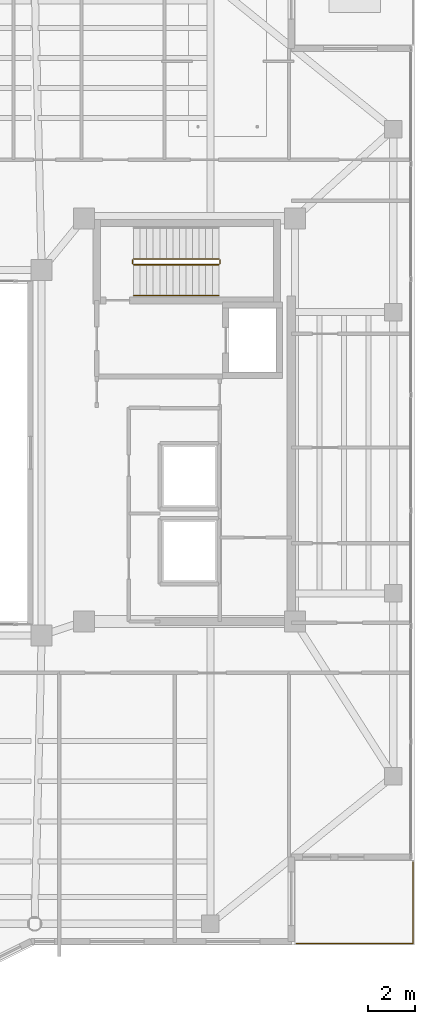
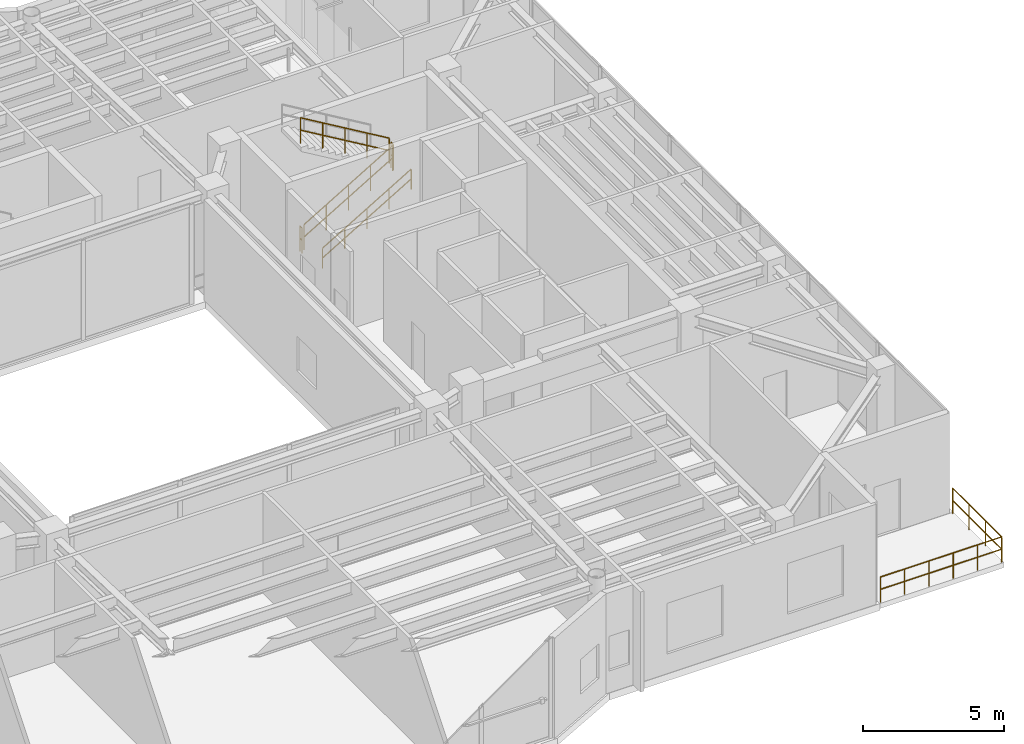
# One storey, part 32 of 34: 7 railings.
"""IFC4 building model written with IfcOpenShell, lengths in metres."""

from ifc_helpers import new_model, si_unit, direction, frame, origin, origin_2d, place, context, subcontext, project, spatial, circle, extrude, material, type_object, element, save


model = new_model("IFC4")

# Units and contexts
model_context = context("Model", 3, precision=1e-05, world=origin(), true_north=direction((0.0, 1.0)))
body_context = subcontext(model_context, "Body", "Model", "MODEL_VIEW")
ifc_project = project(units=[si_unit("LENGTHUNIT", "METRE"), si_unit("AREAUNIT", "SQUARE_METRE"), si_unit("VOLUMEUNIT", "CUBIC_METRE"), si_unit("PLANEANGLEUNIT", "RADIAN"), si_unit("MASSUNIT", "GRAM", prefix="KILO")], contexts=[model_context])

# Site, building, storey
site_placement = place(None, origin())
site = spatial("IfcSite", under=ifc_project, at=site_placement, CompositionType="ELEMENT")
building_placement = place(site_placement, origin())
building = spatial("IfcBuilding", under=site, at=building_placement, Name="Tarnavaz Court Tower", CompositionType="ELEMENT")
storey_placement = place(building_placement, frame((0.0, 0.0, 231.75)))
storey = spatial("IfcBuildingStorey", under=building, at=storey_placement, Name="L63", CompositionType="ELEMENT", Elevation=231.75)

# Railings
ifc_material_1 = material(Name="Anodised Aluminium 6063-T6 and Laminated Safety Glass", Category="aluminium")
railing_type_1 = type_object("IfcRailingType", Name="RL-BAL-1120", PredefinedType="BALUSTRADE", material=ifc_material_1)
railing_1_placement = place(storey_placement, frame((18.659912109375, -20.93994140625, 0.0)))
element("IfcRailing", 1, at=railing_1_placement, inside=storey, type_object=railing_type_1, Name="L63 Terrace 3 S Perimeter Balustrade", PredefinedType="BALUSTRADE", context=body_context, shape_type="SweptSolid", body=[
    extrude(circle(Radius=0.02392578125, at=origin_2d()), frame((0.0, 0.0, 1.09619140625), z_axis=(1.0, 0.0, 0.0), x_axis=(0.0, 1.0, 0.0)), (0.0, 0.0, 1.0), 4.97998046875),
    extrude(circle(Radius=0.02392578125, at=origin_2d()), frame((0.0, 0.0, 0.56005859375), z_axis=(1.0, 0.0, 0.0), x_axis=(0.0, 1.0, 0.0)), (0.0, 0.0, 1.0), 4.97998046875),
    extrude(circle(Radius=0.02099609375, at=origin_2d()), origin(), (0.0, 0.0, 1.0), 1.072021484375),
    extrude(circle(Radius=0.02099609375, at=origin_2d()), frame((0.99609375, 0.0, 0.0)), (0.0, 0.0, 1.0), 1.072021484375),
    extrude(circle(Radius=0.02099609375, at=origin_2d()), frame((1.991943359375, 0.0, 0.0)), (0.0, 0.0, 1.0), 1.072021484375),
    extrude(circle(Radius=0.02099609375, at=origin_2d()), frame((2.988037109375, 0.0, 0.0)), (0.0, 0.0, 1.0), 1.072021484375),
    extrude(circle(Radius=0.02099609375, at=origin_2d()), frame((3.98388671875, 0.0, 0.0)), (0.0, 0.0, 1.0), 1.072021484375),
    extrude(circle(Radius=0.02099609375, at=origin_2d()), frame((4.97998046875, 0.0, 0.0)), (0.0, 0.0, 1.0), 1.072021484375),
])
railing_2_placement = place(storey_placement, frame((23.639892578125, -20.93994140625, 0.0)))
element("IfcRailing", 2, at=railing_2_placement, inside=storey, type_object=railing_type_1, Name="L63 Terrace 3 E Perimeter Balustrade", PredefinedType="BALUSTRADE", context=body_context, shape_type="SweptSolid", body=[
    extrude(circle(Radius=0.02392578125, at=origin_2d()), frame((0.0, 0.0, 1.09619140625), z_axis=(0.0, 1.0, 0.0), x_axis=(-1.0, 0.0, 0.0)), (0.0, 0.0, 1.0), 3.47998046875),
    extrude(circle(Radius=0.02392578125, at=origin_2d()), frame((0.0, 0.0, 0.56005859375), z_axis=(0.0, 1.0, 0.0), x_axis=(-1.0, 0.0, 0.0)), (0.0, 0.0, 1.0), 3.47998046875),
    extrude(circle(Radius=0.02099609375, at=origin_2d()), origin(), (0.0, 0.0, 1.0), 1.072021484375),
    extrude(circle(Radius=0.02099609375, at=origin_2d()), frame((0.0, 1.159912109375, 0.0)), (0.0, 0.0, 1.0), 1.072021484375),
    extrude(circle(Radius=0.02099609375, at=origin_2d()), frame((0.0, 2.320068359375, 0.0)), (0.0, 0.0, 1.0), 1.072021484375),
    extrude(circle(Radius=0.02099609375, at=origin_2d()), frame((0.0, 3.47998046875, 0.0)), (0.0, 0.0, 1.0), 1.072021484375),
])
ifc_material_2 = material(Name="Brushed Stainless Steel", Category="steel")
railing_type_2 = type_object("IfcRailingType", Name="RL-HANDRAIL-900", PredefinedType="HANDRAIL", material=ifc_material_2)
railing_3_placement = place(storey_placement, frame((11.719970703125, 6.699951171875, 0.166015625)))
element("IfcRailing", 3, at=railing_3_placement, inside=storey, type_object=railing_type_2, Name="L63 ST-E1 stair handrail 1", PredefinedType="HANDRAIL", context=body_context, shape_type="SweptSolid", body=[
    extrude(circle(Radius=0.02392578125, at=origin_2d()), frame((0.0, 0.0, 0.8759765625), z_axis=(0.860103130531, 0.0, 0.510120186672), x_axis=(0.0, 1.0, 0.0)), (0.0, 0.0, 1.0), 4.232177734375),
    extrude(circle(Radius=0.02392578125, at=origin_2d()), frame((0.0, 0.0, 0.449951171875), z_axis=(0.860103130531, 0.0, 0.510120186672), x_axis=(0.0, 1.0, 0.0)), (0.0, 0.0, 1.0), 4.232177734375),
    extrude(circle(Radius=0.02099609375, at=origin_2d()), origin(), (0.0, 0.0, 1.0), 0.851806640625),
    extrude(circle(Radius=0.02099609375, at=origin_2d()), frame((0.91015625, 0.0, 0.539794921875)), (0.0, 0.0, 1.0), 0.851806640625),
    extrude(circle(Radius=0.02099609375, at=origin_2d()), frame((1.820068359375, 0.0, 1.07958984375)), (0.0, 0.0, 1.0), 0.851806640625),
    extrude(circle(Radius=0.02099609375, at=origin_2d()), frame((2.72998046875, 0.0, 1.619140625)), (0.0, 0.0, 1.0), 0.851806640625),
    extrude(circle(Radius=0.02099609375, at=origin_2d()), frame((3.64013671875, 0.0, 2.158935546875)), (0.0, 0.0, 1.0), 0.851806640625),
])
ifc_material_3 = material(Name="Galvanized Painted Tubular Steel", Category="steel")
railing_type_3 = type_object("IfcRailingType", Name="RL-STGUARD-1120", PredefinedType="GUARDRAIL", material=ifc_material_3)
railing_4_placement = place(storey_placement, frame((11.719970703125, 8.02001953125, 0.166015625)))
element("IfcRailing", 4, at=railing_4_placement, inside=storey, type_object=railing_type_3, Name="L63 ST-E1 stair guard 1", PredefinedType="GUARDRAIL", context=body_context, shape_type="SweptSolid", body=[
    extrude(circle(Radius=0.02392578125, at=origin_2d()), frame((0.0, 0.0, 1.09619140625), z_axis=(0.860103130531, 0.0, 0.510120186672), x_axis=(0.0, 1.0, 0.0)), (0.0, 0.0, 1.0), 4.232177734375),
    extrude(circle(Radius=0.02392578125, at=origin_2d()), frame((0.0, 0.0, 0.56005859375), z_axis=(0.860103130531, 0.0, 0.510120186672), x_axis=(0.0, 1.0, 0.0)), (0.0, 0.0, 1.0), 4.232177734375),
    extrude(circle(Radius=0.02099609375, at=origin_2d()), origin(), (0.0, 0.0, 1.0), 1.072021484375),
    extrude(circle(Radius=0.02099609375, at=origin_2d()), frame((0.91015625, 0.0, 0.539794921875)), (0.0, 0.0, 1.0), 1.072021484375),
    extrude(circle(Radius=0.02099609375, at=origin_2d()), frame((1.820068359375, 0.0, 1.07958984375)), (0.0, 0.0, 1.0), 1.072021484375),
    extrude(circle(Radius=0.02099609375, at=origin_2d()), frame((2.72998046875, 0.0, 1.619140625)), (0.0, 0.0, 1.0), 1.072021484375),
    extrude(circle(Radius=0.02099609375, at=origin_2d()), frame((3.64013671875, 0.0, 2.158935546875)), (0.0, 0.0, 1.0), 1.072021484375),
])
railing_5_placement = place(storey_placement, frame((15.409912109375, 8.070068359375, 2.324951171875)))
element("IfcRailing", 5, at=railing_5_placement, inside=storey, type_object=railing_type_3, Name="L63 ST-E1 stair guard 2", PredefinedType="GUARDRAIL", context=body_context, shape_type="SweptSolid", body=[
    extrude(circle(Radius=0.02392578125, at=origin_2d()), frame((0.0, 0.0, 1.09619140625), z_axis=(0.0, 1.0, 0.0), x_axis=(-1.0, 0.0, 0.0)), (0.0, 0.0, 1.0), 0.14990234375),
    extrude(circle(Radius=0.02392578125, at=origin_2d()), frame((0.0, 0.0, 0.56005859375), z_axis=(0.0, 1.0, 0.0), x_axis=(-1.0, 0.0, 0.0)), (0.0, 0.0, 1.0), 0.14990234375),
    extrude(circle(Radius=0.02099609375, at=origin_2d()), origin(), (0.0, 0.0, 1.0), 1.072021484375),
    extrude(circle(Radius=0.02099609375, at=origin_2d()), frame((0.0, 0.14990234375, 0.0)), (0.0, 0.0, 1.0), 1.072021484375),
])
railing_6_placement = place(storey_placement, frame((15.360107421875, 8.27001953125, 2.490966796875)))
element("IfcRailing", 6, at=railing_6_placement, inside=storey, type_object=railing_type_3, Name="L63 ST-E1 stair guard 3", PredefinedType="GUARDRAIL", context=body_context, shape_type="SweptSolid", body=[
    extrude(circle(Radius=0.02392578125, at=origin_2d()), frame((0.0, 0.0, 1.09619140625), z_axis=(-0.860103130531, 0.0, 0.510120186672), x_axis=(0.0, -1.0, 0.0)), (0.0, 0.0, 1.0), 4.232177734375),
    extrude(circle(Radius=0.02392578125, at=origin_2d()), frame((0.0, 0.0, 0.56005859375), z_axis=(-0.860103130531, 0.0, 0.510120186672), x_axis=(0.0, -1.0, 0.0)), (0.0, 0.0, 1.0), 4.232177734375),
    extrude(circle(Radius=0.02099609375, at=origin_2d()), origin(), (0.0, 0.0, 1.0), 1.072021484375),
    extrude(circle(Radius=0.02099609375, at=origin_2d()), frame((-0.91015625, 0.0, 0.539794921875)), (0.0, 0.0, 1.0), 1.072021484375),
    extrude(circle(Radius=0.02099609375, at=origin_2d()), frame((-1.820068359375, 0.0, 1.07958984375)), (0.0, 0.0, 1.0), 1.072021484375),
    extrude(circle(Radius=0.02099609375, at=origin_2d()), frame((-2.72998046875, 0.0, 1.619140625)), (0.0, 0.0, 1.0), 1.072021484375),
    extrude(circle(Radius=0.02099609375, at=origin_2d()), frame((-3.64013671875, 0.0, 2.158935546875)), (0.0, 0.0, 1.0), 1.072021484375),
])
railing_7_placement = place(storey_placement, frame((11.669921875, 8.070068359375, 0.0)))
element("IfcRailing", 7, at=railing_7_placement, inside=storey, type_object=railing_type_3, Name="L63 ST-E1 stair guard 4", PredefinedType="GUARDRAIL", context=body_context, shape_type="SweptSolid", body=[
    extrude(circle(Radius=0.02392578125, at=origin_2d()), frame((0.0, 0.0, 1.09619140625), z_axis=(0.0, 1.0, 0.0), x_axis=(-1.0, 0.0, 0.0)), (0.0, 0.0, 1.0), 0.14990234375),
    extrude(circle(Radius=0.02392578125, at=origin_2d()), frame((0.0, 0.0, 0.56005859375), z_axis=(0.0, 1.0, 0.0), x_axis=(-1.0, 0.0, 0.0)), (0.0, 0.0, 1.0), 0.14990234375),
    extrude(circle(Radius=0.02099609375, at=origin_2d()), origin(), (0.0, 0.0, 1.0), 1.072021484375),
    extrude(circle(Radius=0.02099609375, at=origin_2d()), frame((0.0, 0.14990234375, 0.0)), (0.0, 0.0, 1.0), 1.072021484375),
])

save(model, "model.ifc")
